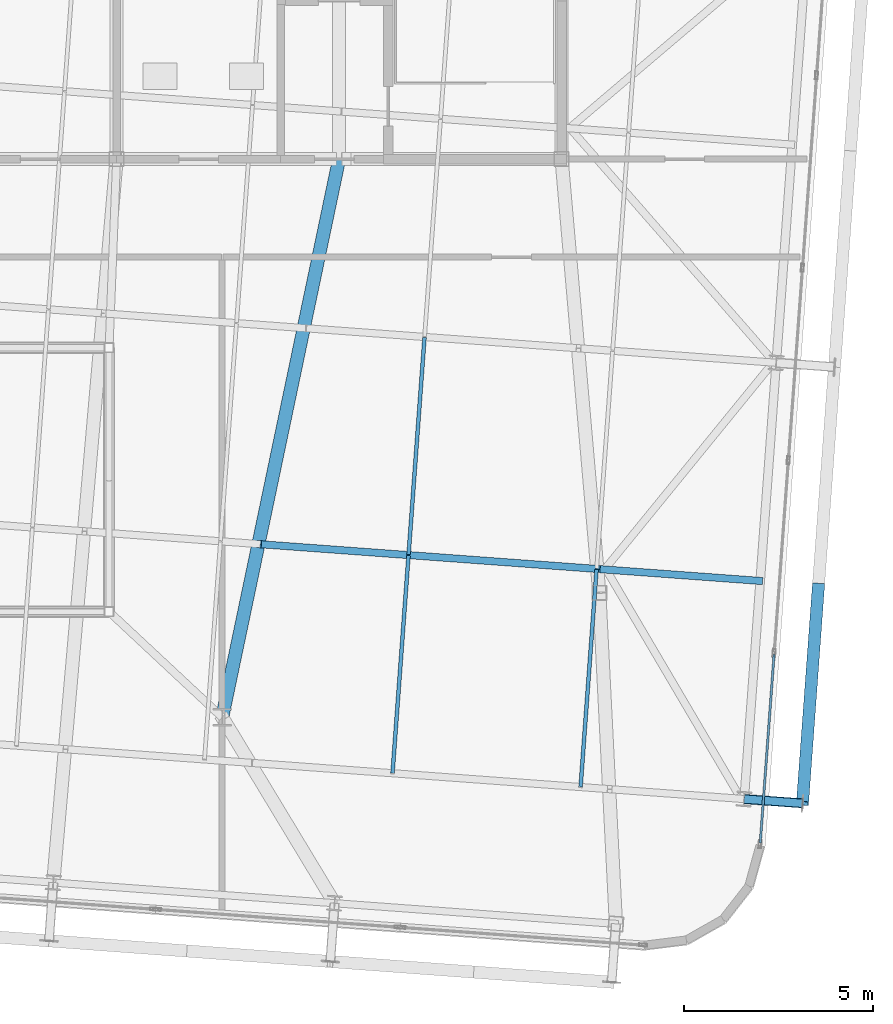
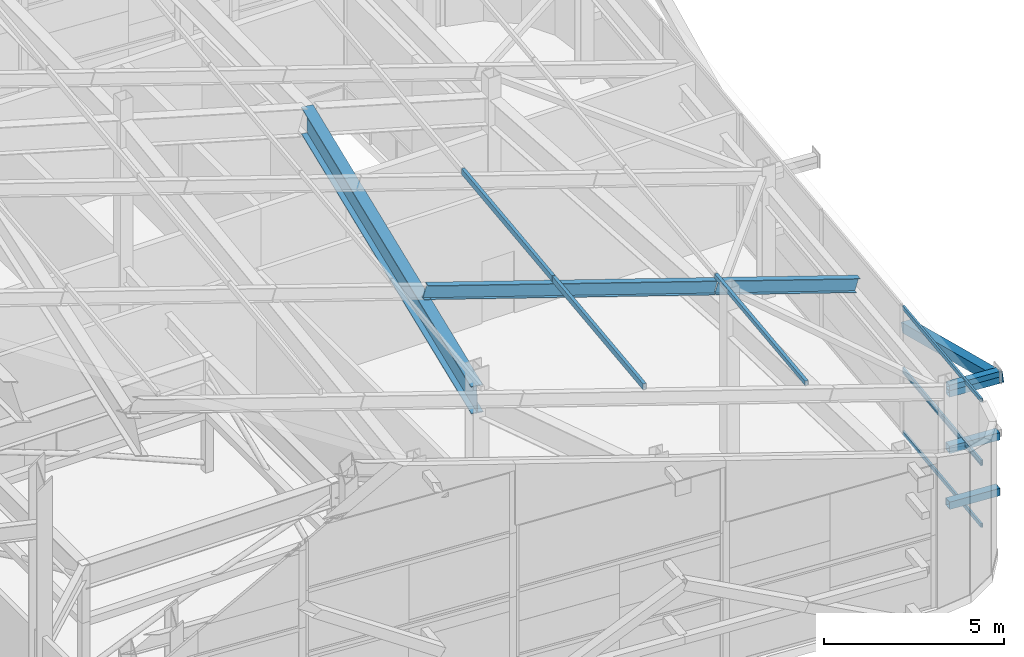
# One storey, part 21 of 56: 14 members, 1 beam, 2 elements without a shape of their own.
"""IFC4 building model written with IfcOpenShell, lengths in metres."""

from ifc_helpers import new_model, si_unit, direction, frame, origin, origin_2d, place, context, subcontext, project, spatial, hollow_rectangle, i_section, extrude, source, transform, mapped, material, layer, layer_set, material_profile, profile_set, type_object, element, aggregate, save


model = new_model("IFC4")

# Units and contexts
model_context = context("Model", 3, precision=1e-05, world=origin(), true_north=direction((0.0, 1.0)))
body_context = subcontext(model_context, "Body", "Model", "MODEL_VIEW")
ifc_project = project(units=[si_unit("LENGTHUNIT", "METRE"), si_unit("AREAUNIT", "SQUARE_METRE"), si_unit("VOLUMEUNIT", "CUBIC_METRE"), si_unit("PLANEANGLEUNIT", "RADIAN"), si_unit("MASSUNIT", "GRAM", prefix="KILO")], contexts=[model_context])

# Site, building, storey
site_placement = place(None, origin())
site = spatial("IfcSite", under=ifc_project, at=site_placement, CompositionType="ELEMENT")
building_placement = place(site_placement, origin())
building = spatial("IfcBuilding", under=site, at=building_placement, Name="Taldren Reach Tower", CompositionType="ELEMENT")
storey_placement = place(building_placement, frame((0.0, 0.0, 253.050048828125)))
storey = spatial("IfcBuildingStorey", under=building, at=storey_placement, Name="L77", CompositionType="ELEMENT", Elevation=253.050048828125)

# Members
ifc_material_1 = material(Name="Steel Gr 350 (C350L0)", Category="steel")
ifc_material_profile_1 = material_profile(ifc_material_1, hollow_rectangle(XDim=0.25, YDim=0.25, WallThickness=0.010009765625, at=origin_2d()), Name="250x250x10.0SHS")
ifc_profile_set_1 = profile_set([ifc_material_profile_1], Name="Steel Gr 350 (C350L0)")
member_type_1 = type_object("IfcMemberType", Name="MB-POST250", PredefinedType="POST", material=ifc_profile_set_1)
shared_shape_1 = source(origin(), body_context, "Body", "SweptSolid", [
    extrude(hollow_rectangle(XDim=0.25, YDim=0.25, WallThickness=0.010009765625, at=origin_2d()), origin(), (0.0, 0.0, 1.0), 1.550048828125),
])
for number, where, z_axis, x_axis, name in (
    (1, (55.841796875, 7.031005859375, 0.219970703125), (0.997314396849, -0.07323929162, 0.0), (0.07323929162, 0.997314396849, 0.0), "Exoskeleton base diaphragm tie strut B5-E1 L77"),
    (2, (55.841796875, 7.031005859375, 2.10986328125), (0.997314396849, -0.07323929162, 0.0), (0.07323929162, 0.997314396849, 0.0), "Exoskeleton mid-tier diaphragm tie B5-E1 L77"),
):
    element("IfcMember", number, at=place(storey_placement, frame(where, z_axis=z_axis, x_axis=x_axis)), inside=storey, type_object=member_type_1, Name=name, PredefinedType="POST", context=body_context, shape_type="MappedRepresentation", body=[
        mapped(shared_shape_1, transform((0.0, 0.0, 0.0), scale=1.0)),
    ])
ifc_material_2 = material(Name="Steel Gr 450 (C450L0)", Category="steel")
ifc_material_profile_2 = material_profile(ifc_material_2, hollow_rectangle(XDim=0.219970703125, YDim=0.219970703125, WallThickness=0.00830078125, at=origin_2d()), Name="220x220x8.2SHS")
ifc_profile_set_2 = profile_set([ifc_material_profile_2], Name="Steel Gr 450 (C450L0)")
member_type_2 = type_object("IfcMemberType", Name="MB-TIE219", PredefinedType="STRUT", material=ifc_profile_set_2)
shared_shape_2 = source(origin(), body_context, "Body", "SweptSolid", [
    extrude(hollow_rectangle(XDim=0.219970703125, YDim=0.219970703125, WallThickness=0.00830078125, at=origin_2d()), origin(), (0.0, 0.0, 1.0), 1.550048828125),
])
for number, where, z_axis, x_axis, name in (
    (3, (55.841796875, 7.031005859375, 4.186279296875), (0.997314396849, -0.07323929162, 0.0), (0.07323929162, 0.997314396849, 0.0), "Exoskeleton diaphragm tie strut B5-E1 L77"),
    (4, (55.841796875, 7.031005859375, 4.0), (0.997314396849, -0.07323929162, 0.0), (0.07323929162, 0.997314396849, 0.0), "Crown exoskeleton mid-tier tie strut B5-E1"),
):
    element("IfcMember", number, at=place(storey_placement, frame(where, z_axis=z_axis, x_axis=x_axis)), inside=storey, type_object=member_type_2, Name=name, PredefinedType="STRUT", context=body_context, shape_type="MappedRepresentation", body=[
        mapped(shared_shape_2, transform((0.0, 0.0, 0.0), scale=1.0)),
    ])

# Beam
ifc_material_3 = material(Name="Steel Gr 350 (350PLUS)", Category="steel")
ifc_material_profile_3 = material_profile(ifc_material_3, i_section(OverallWidth=0.35009765625, OverallDepth=0.916015625, WebThickness=0.013916015625, FlangeThickness=0.028076171875, at=origin_2d()), Name="900WB257")
ifc_profile_set_3 = profile_set([ifc_material_profile_3], Name="Steel Gr 350 (350PLUS)")
beam_type = type_object("IfcBeamType", Name="BM-WB900", PredefinedType="BEAM", material=ifc_profile_set_3)
shared_shape_3 = source(origin(), body_context, "Body", "SweptSolid", [
    extrude(i_section(OverallWidth=0.35009765625, OverallDepth=0.916015625, WebThickness=0.013916015625, FlangeThickness=0.028076171875, at=origin_2d()), origin(), (0.0, 0.0, 1.0), 15.132080078125),
])
beam_placement = place(storey_placement, frame((42.0, 9.199951171875, 7.28759765625), z_axis=(0.204867742724, 0.978050671892, -0.038027505875), x_axis=(-0.978758615034, 0.205016032294, 0.0)))
element("IfcBeam", 5, at=beam_placement, inside=storey, type_object=beam_type, Name="Crown transverse portal girder PF5-2", PredefinedType="BEAM", context=body_context, shape_type="MappedRepresentation", body=[
    mapped(shared_shape_3, transform((0.0, 0.0, 0.0), scale=1.0)),
])

# Members
ifc_material_profile_4 = material_profile(ifc_material_3, i_section(OverallWidth=0.19091796875, OverallDepth=0.4599609375, WebThickness=0.010009765625, FlangeThickness=0.01611328125, at=origin_2d()), Name="460UB82.1")
ifc_profile_set_4 = profile_set([ifc_material_profile_4], Name="Steel Gr 350 (350PLUS)")
member_type_3 = type_object("IfcMemberType", Name="MB-RAF460", PredefinedType="RAFTER", material=ifc_profile_set_4)
shared_shape_4 = source(origin(), body_context, "Body", "SweptSolid", [
    extrude(i_section(OverallWidth=0.19091796875, OverallDepth=0.4599609375, WebThickness=0.010009765625, FlangeThickness=0.01611328125, at=origin_2d()), origin(), (0.0, 0.0, 1.0), 4.4921875),
])
member_1_placement = place(storey_placement, frame((56.2666015625, 12.8154296875, 4.011962890625), z_axis=(-0.958707651669, 0.070381315698, 0.275546927095), x_axis=(-0.073215668375, -0.997316131377, 0.0)))
element("IfcMember", 6, at=member_1_placement, inside=storey, type_object=member_type_3, Name="Crown sloped rafter RF-2.1", PredefinedType="RAFTER", context=body_context, shape_type="MappedRepresentation", body=[
    mapped(shared_shape_4, transform((0.0, 0.0, 0.0), scale=1.0)),
])
shared_shape_5 = source(origin(), body_context, "Body", "SweptSolid", [
    extrude(i_section(OverallWidth=0.19091796875, OverallDepth=0.4599609375, WebThickness=0.010009765625, FlangeThickness=0.01611328125, at=origin_2d()), origin(), (0.0, 0.0, 1.0), 9.3388671875),
])
member_2_placement = place(storey_placement, frame((51.929931640625, 13.1337890625, 5.258544921875), z_axis=(-0.95869988094, 0.070401908251, 0.275568702143), x_axis=(-0.073237565773, -0.997314523588, 0.0)))
element("IfcMember", 7, at=member_2_placement, inside=storey, type_object=member_type_3, Name="Crown sloped rafter RF-2.2", PredefinedType="RAFTER", context=body_context, shape_type="MappedRepresentation", body=[
    mapped(shared_shape_5, transform((0.0, 0.0, 0.0), scale=1.0)),
])
ifc_material_profile_5 = material_profile(ifc_material_1, hollow_rectangle(XDim=0.10009765625, YDim=0.199951171875, WallThickness=0.006103515625, at=origin_2d()), Name="200x100x6.0RHS")
ifc_profile_set_5 = profile_set([ifc_material_profile_5], Name="Steel Gr 350 (C350L0)")
member_type_4 = type_object("IfcMemberType", Name="MB-PUR200", PredefinedType="PURLIN", material=ifc_profile_set_5)
shared_shape_6 = source(origin(), body_context, "Body", "SweptSolid", [
    extrude(hollow_rectangle(XDim=0.10009765625, YDim=0.199951171875, WallThickness=0.006103515625, at=origin_2d()), origin(), (0.0, 0.0, 1.0), 5.78515625),
])
member_3_placement = place(storey_placement, frame((46.516845703125, 7.715576171875, 7.04248046875), z_axis=(0.07322033234, 0.997315788972, 0.0), x_axis=(-0.997315788972, 0.07322033234, 0.0)))
element("IfcMember", 8, at=member_3_placement, inside=storey, type_object=member_type_4, Name="Crown roof purlin PR-7.1", PredefinedType="PURLIN", context=body_context, shape_type="MappedRepresentation", body=[
    mapped(shared_shape_6, transform((0.0, 0.0, 0.0), scale=1.0)),
])
ifc_material_profile_6 = material_profile(ifc_material_1, hollow_rectangle(XDim=0.10009765625, YDim=0.14990234375, WallThickness=0.0048828125, at=origin_2d()), Name="150x100x5.0RHS")
ifc_profile_set_6 = profile_set([ifc_material_profile_6], Name="Steel Gr 350 (C350L0)")
member_type_5 = type_object("IfcMemberType", Name="MB-PUR150", PredefinedType="PURLIN", material=ifc_profile_set_6)
shared_shape_7 = source(origin(), body_context, "Body", "SweptSolid", [
    extrude(hollow_rectangle(XDim=0.10009765625, YDim=0.14990234375, WallThickness=0.0048828125, at=origin_2d()), origin(), (0.0, 0.0, 1.0), 5.78515625),
])
member_4_placement = place(storey_placement, frame((51.50341796875, 7.349365234375, 5.63525390625), z_axis=(0.07322033234, 0.997315788972, 0.0), x_axis=(-0.997315788972, 0.07322033234, 0.0)))
element("IfcMember", 9, at=member_4_placement, inside=storey, type_object=member_type_5, Name="Crown roof purlin PR-8.1", PredefinedType="PURLIN", context=body_context, shape_type="MappedRepresentation", body=[
    mapped(shared_shape_7, transform((0.0, 0.0, 0.0), scale=1.0)),
])
shared_shape_8 = source(origin(), body_context, "Body", "SweptSolid", [
    extrude(hollow_rectangle(XDim=0.10009765625, YDim=0.199951171875, WallThickness=0.006103515625, at=origin_2d()), origin(), (0.0, 0.0, 1.0), 5.769775390625),
])
member_5_placement = place(storey_placement, frame((46.942626953125, 13.51513671875, 7.04248046875), z_axis=(0.073243558698, 0.997314083481, 0.0), x_axis=(-0.997314083481, 0.073243558698, 0.0)))
element("IfcMember", 10, at=member_5_placement, inside=storey, type_object=member_type_4, Name="Crown roof purlin PR-7.2", PredefinedType="PURLIN", context=body_context, shape_type="MappedRepresentation", body=[
    mapped(shared_shape_8, transform((0.0, 0.0, 0.0), scale=1.0)),
])
ifc_material_profile_7 = material_profile(ifc_material_2, hollow_rectangle(XDim=0.324951171875, YDim=0.324951171875, WallThickness=0.0126953125, at=origin_2d()), Name="325x325x12.7SHS")
ifc_profile_set_7 = profile_set([ifc_material_profile_7], Name="Steel Gr 450 (C450L0)")
member_type_6 = type_object("IfcMemberType", Name="MB-BR324", PredefinedType="BRACE", material=ifc_profile_set_7)
shared_shape_9 = source(origin(), body_context, "Body", "SweptSolid", [
    extrude(hollow_rectangle(XDim=0.324951171875, YDim=0.324951171875, WallThickness=0.0126953125, at=origin_2d()), origin(), (0.0, 0.0, 1.0), 6.10009765625),
])
member_6_placement = place(storey_placement, frame((57.812255859375, 12.701904296875, 2.10986328125), z_axis=(-0.069597819486, -0.948235271466, 0.309848371742), x_axis=(0.997317259472, -0.073200300267, 0.0)))
element("IfcMember", 11, at=member_6_placement, inside=storey, type_object=member_type_6, Name="Exoskeleton Diagrid Brace B5-E1 L77", PredefinedType="BRACE", context=body_context, shape_type="MappedRepresentation", body=[
    mapped(shared_shape_9, transform((0.0, 0.0, 0.0), scale=1.0)),
])

# Curtain wall, members
ifc_material_4 = material(Name="Aluminium and Low-E Glass Unitised System", Category="aluminium")
ifc_layer = layer(ifc_material_4, 0.159912109375)
ifc_layer_set = layer_set([ifc_layer], Name="Aluminium and Low-E Glass Unitised System")
curtain_wall_type = type_object("IfcCurtainWallType", Name="CW-SYS-8", PredefinedType="NOTDEFINED", material=ifc_layer_set)
curtain_wall_1_placement = place(storey_placement, origin())
curtain_wall_1 = element("IfcCurtainWall", 12, at=curtain_wall_1_placement, inside=storey, type_object=curtain_wall_type, Name="Unitised curtain wall CW8-L77-E", PredefinedType="NOTDEFINED")
ifc_material_5 = material(Name="Anodised Aluminium 6063-T6", Category="aluminium")
ifc_material_profile_8 = material_profile(ifc_material_5, hollow_rectangle(XDim=0.06005859375, YDim=0.135009765625, WallThickness=0.00341796875, at=origin_2d()), Name="ALU-135x60x3.5RHS")
ifc_profile_set_8 = profile_set([ifc_material_profile_8], Name="Anodised Aluminium 6063-T6")
member_type_7 = type_object("IfcMemberType", Name="CW-TRN-150", PredefinedType="USERDEFINED", material=ifc_profile_set_8)
shared_shape_10 = source(origin(), body_context, "Body", "SweptSolid", [
    extrude(hollow_rectangle(XDim=0.06005859375, YDim=0.135009765625, WallThickness=0.00341796875, at=origin_2d()), origin(), (0.0, 0.0, 1.0), 5.007568359375),
])
member_7_placement = place(storey_placement, frame((56.26806640625, 5.87158203125, 0.030029296875), z_axis=(0.073228753731, 0.997315170659, 0.0), x_axis=(-0.997315170659, 0.073228753731, 0.0)))
member_7 = element("IfcMember", 13, at=member_7_placement, type_object=member_type_7, Name="CW-8 transom 1.1", ObjectType="TRANSOM", PredefinedType="USERDEFINED", context=body_context, shape_type="MappedRepresentation", body=[
    mapped(shared_shape_10, transform((0.0, 0.0, 0.0), scale=1.0)),
])
member_8_placement = place(storey_placement, frame((56.26806640625, 5.87158203125, 2.12255859375), z_axis=(0.073228753731, 0.997315170659, 0.0), x_axis=(-0.997315170659, 0.073228753731, 0.0)))
member_8 = element("IfcMember", 14, at=member_8_placement, type_object=member_type_7, Name="CW-8 transom 1.2", ObjectType="TRANSOM", PredefinedType="USERDEFINED", context=body_context, shape_type="MappedRepresentation", body=[
    mapped(shared_shape_10, transform((0.0, 0.0, 0.0), scale=1.0)),
])
aggregate(curtain_wall_1, [member_7, member_8])

curtain_wall_2_placement = place(storey_placement, origin())
curtain_wall_2 = element("IfcCurtainWall", 15, at=curtain_wall_2_placement, inside=storey, type_object=curtain_wall_type, Name="Unitised curtain wall CW8-L77-E-T2", PredefinedType="NOTDEFINED")
member_9_placement = place(storey_placement, frame((56.26806640625, 5.87158203125, 2.1826171875), z_axis=(0.073228753731, 0.997315170659, 0.0), x_axis=(-0.997315170659, 0.073228753731, 0.0)))
member_9 = element("IfcMember", 16, at=member_9_placement, type_object=member_type_7, Name="CW-8 transom 1.1", ObjectType="TRANSOM", PredefinedType="USERDEFINED", context=body_context, shape_type="MappedRepresentation", body=[
    mapped(shared_shape_10, transform((0.0, 0.0, 0.0), scale=1.0)),
])
member_10_placement = place(storey_placement, frame((56.26806640625, 5.87158203125, 4.275146484375), z_axis=(0.073228753731, 0.997315170659, 0.0), x_axis=(-0.997315170659, 0.073228753731, 0.0)))
member_10 = element("IfcMember", 17, at=member_10_placement, type_object=member_type_7, Name="CW-8 transom 1.2", ObjectType="TRANSOM", PredefinedType="USERDEFINED", context=body_context, shape_type="MappedRepresentation", body=[
    mapped(shared_shape_10, transform((0.0, 0.0, 0.0), scale=1.0)),
])
aggregate(curtain_wall_2, [member_9, member_10])

save(model, "model.ifc")
